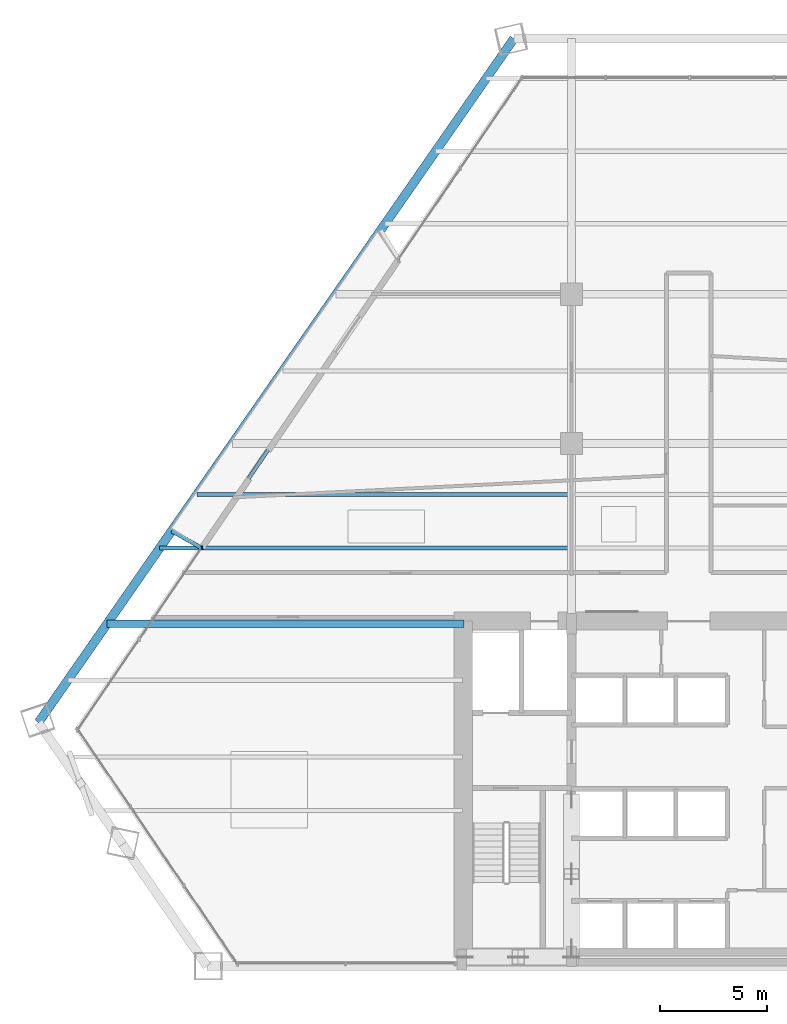
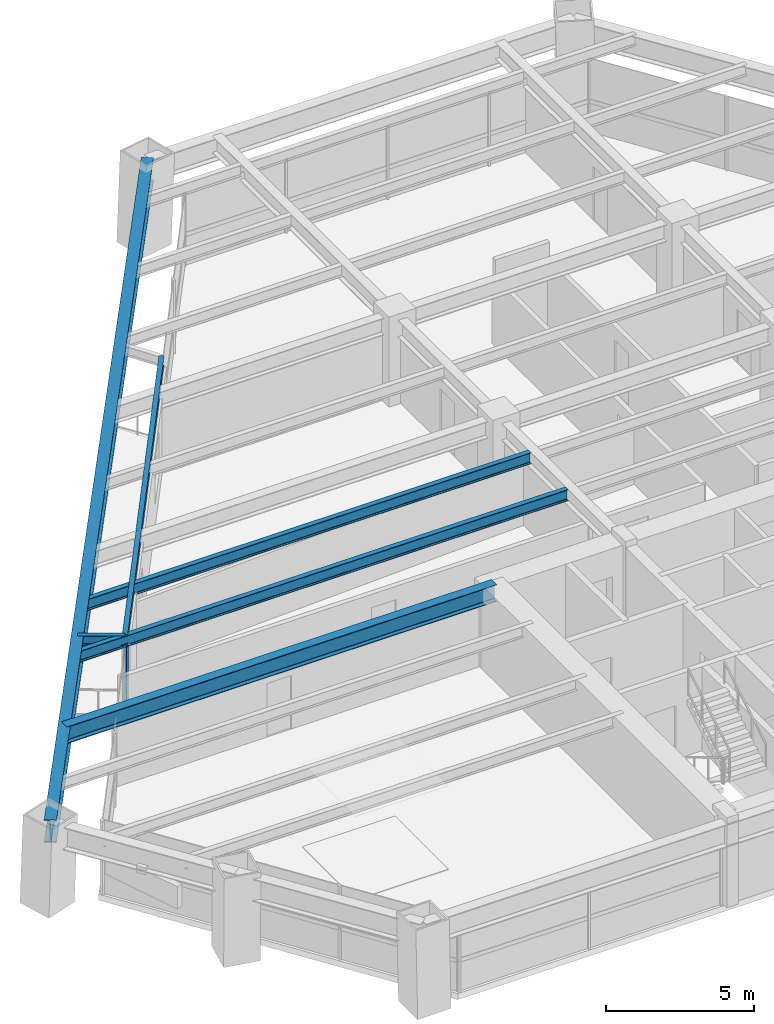
# One storey, part 4 of 14: 6 beams, 1 member, 1 element without a shape of its own.
"""IFC4 building model written with IfcOpenShell, lengths in metres."""

from ifc_helpers import new_model, si_unit, direction, frame, origin, origin_2d, place, context, subcontext, project, spatial, rectangle, i_section, extrude, source, transform, mapped, material, material_profile, profile_set, type_object, type_shapes, element, aggregate, save


model = new_model("IFC4")

# Units and contexts
model_context = context("Model", 3, precision=1e-05, world=origin(), true_north=direction((0.0, 1.0)))
body_context = subcontext(model_context, "Body", "Model", "MODEL_VIEW")
ifc_project = project(units=[si_unit("LENGTHUNIT", "METRE"), si_unit("AREAUNIT", "SQUARE_METRE"), si_unit("VOLUMEUNIT", "CUBIC_METRE"), si_unit("PLANEANGLEUNIT", "RADIAN"), si_unit("MASSUNIT", "GRAM", prefix="KILO")], contexts=[model_context])

# Site, building, storey
site_placement = place(None, origin())
site = spatial("IfcSite", under=ifc_project, at=site_placement, CompositionType="ELEMENT")
building_placement = place(site_placement, origin())
building = spatial("IfcBuilding", under=site, at=building_placement, Name="Varnakhor Terracotta Tower", CompositionType="ELEMENT")
storey_placement = place(building_placement, frame((0.0, 0.0, 31.199951171875)))
storey = spatial("IfcBuildingStorey", under=building, at=storey_placement, Name="L06", CompositionType="ELEMENT", Elevation=31.199951171875)

# Beams
ifc_material_1 = material(Name="Steel S355", Category="steel")
ifc_material_profile_1 = material_profile(ifc_material_1, i_section(OverallWidth=0.41796875, OverallDepth=0.927001953125, WebThickness=0.01904296875, FlangeThickness=0.031982421875, FilletRadius=0.01806640625, at=origin_2d()), Name="W36X231")
ifc_profile_set_1 = profile_set([ifc_material_profile_1], Name="Steel S355")
beam_type_1 = type_object("IfcBeamType", Name="BM-W36X231", PredefinedType="BEAM", material=ifc_profile_set_1)
shared_shape_1 = source(origin(), body_context, "Body", "SweptSolid", [
    extrude(i_section(OverallWidth=0.41796875, OverallDepth=0.927001953125, WebThickness=0.01904296875, FlangeThickness=0.031982421875, FilletRadius=0.01806640625, at=origin_2d()), origin(), (0.0, 0.0, 1.0), 39.04052734375),
])
beam_1_placement = place(storey_placement, frame((-8.201171875, 43.47802734375, 2.986572265625), z_axis=(-0.570802631797, -0.821087300799, 0.0), x_axis=(0.821087300799, -0.570802631797, 0.0)))
element("IfcBeam", 1, at=beam_1_placement, inside=storey, type_object=beam_type_1, Name="L06 Perimeter Spandrel 6", PredefinedType="BEAM", context=body_context, shape_type="MappedRepresentation", body=[
    mapped(shared_shape_1, transform((0.0, 0.0, 0.0), scale=1.0)),
])
ifc_material_profile_2 = material_profile(ifc_material_1, i_section(OverallWidth=0.179931640625, OverallDepth=0.39990234375, WebThickness=0.008544921875, FlangeThickness=0.013427734375, FilletRadius=0.01806640625, at=origin_2d()), Name="IPE400")
ifc_profile_set_2 = profile_set([ifc_material_profile_2], Name="Steel S355")
beam_type_2 = type_object("IfcBeamType", Name="JST-IPE400", PredefinedType="JOIST", material=ifc_profile_set_2)
shared_shape_2 = source(origin(), body_context, "Body", "SweptSolid", [
    extrude(i_section(OverallWidth=0.179931640625, OverallDepth=0.39990234375, WebThickness=0.008544921875, FlangeThickness=0.013427734375, FilletRadius=0.01806640625, at=origin_2d()), origin(), (0.0, 0.0, 1.0), 16.41015625),
])
beam_2_placement = place(storey_placement, frame((-13.610107421875, 33.164306640625, 3.25), z_axis=(-0.563410685264, -0.826176978455, 0.0), x_axis=(0.826176978455, -0.563410685264, 0.0)))
element("IfcBeam", 2, at=beam_2_placement, inside=storey, type_object=beam_type_2, Name="L06 Loggia Edge Beam 2", PredefinedType="JOIST", context=body_context, shape_type="MappedRepresentation", body=[
    mapped(shared_shape_2, transform((0.0, 0.0, 0.0), scale=1.0)),
])
ifc_material_profile_3 = material_profile(ifc_material_1, i_section(OverallWidth=0.35498046875, OverallDepth=0.695068359375, WebThickness=0.014892578125, FlangeThickness=0.02490234375, FilletRadius=0.01806640625, at=origin_2d()), Name="W27X146")
ifc_profile_set_3 = profile_set([ifc_material_profile_3], Name="Steel S355")
beam_type_3 = type_object("IfcBeamType", Name="BM-W27X146", PredefinedType="BEAM", material=ifc_profile_set_3)
shared_shape_3 = source(origin(), body_context, "Body", "SweptSolid", [
    extrude(i_section(OverallWidth=0.35498046875, OverallDepth=0.695068359375, WebThickness=0.014892578125, FlangeThickness=0.02490234375, FilletRadius=0.01806640625, at=origin_2d()), origin(), (0.0, 0.0, 1.0), 16.71875),
])
beam_3_placement = place(storey_placement, frame((-27.268798828125, 16.050048828125, 3.1025390625), z_axis=(1.0, 0.0, 0.0), x_axis=(0.0, 1.0, 0.0)))
element("IfcBeam", 3, at=beam_3_placement, inside=storey, type_object=beam_type_3, Name="L06 Wing Girder W", PredefinedType="BEAM", context=body_context, shape_type="MappedRepresentation", body=[
    mapped(shared_shape_3, transform((0.0, 0.0, 0.0), scale=1.0)),
])
ifc_material_profile_4 = material_profile(ifc_material_1, i_section(OverallWidth=0.19189453125, OverallDepth=0.462890625, WebThickness=0.010498046875, FlangeThickness=0.017578125, FilletRadius=0.01806640625, at=origin_2d()), Name="W18X60")
ifc_profile_set_4 = profile_set([ifc_material_profile_4], Name="Steel S355")
beam_type_4 = type_object("IfcBeamType", Name="JST-W18X60", PredefinedType="JOIST", material=ifc_profile_set_4)
shared_shape_4 = source(origin(), body_context, "Body", "SweptSolid", [
    extrude(i_section(OverallWidth=0.19189453125, OverallDepth=0.462890625, WebThickness=0.010498046875, FlangeThickness=0.017578125, FilletRadius=0.01806640625, at=origin_2d()), origin(), (0.0, 0.0, 1.0), 19.127197265625),
])
beam_4_placement = place(storey_placement, frame((-24.80078125, 19.60009765625, 3.218505859375), z_axis=(1.0, 0.0, 0.0), x_axis=(0.0, 1.0, 0.0)))
element("IfcBeam", 4, at=beam_4_placement, inside=storey, type_object=beam_type_4, Name="L06 Composite Floor Joist 4-1", PredefinedType="JOIST", context=body_context, shape_type="MappedRepresentation", body=[
    mapped(shared_shape_4, transform((0.0, 0.0, 0.0), scale=1.0)),
])
shared_shape_5 = source(origin(), body_context, "Body", "SweptSolid", [
    extrude(i_section(OverallWidth=0.19189453125, OverallDepth=0.462890625, WebThickness=0.010498046875, FlangeThickness=0.017578125, FilletRadius=0.01806640625, at=origin_2d()), origin(), (0.0, 0.0, 1.0), 17.38916015625),
])
beam_5_placement = place(storey_placement, frame((-23.062744140625, 22.10009765625, 3.218505859375), z_axis=(1.0, 0.0, 0.0), x_axis=(0.0, 1.0, 0.0)))
element("IfcBeam", 5, at=beam_5_placement, inside=storey, type_object=beam_type_4, Name="L06 Composite Floor Joist 5-1", PredefinedType="JOIST", context=body_context, shape_type="MappedRepresentation", body=[
    mapped(shared_shape_5, transform((0.0, 0.0, 0.0), scale=1.0)),
])

# Curtain wall, member
ifc_material_2 = material(Name="Anodised Aluminium Curtain Wall System", Category="aluminium")
curtain_wall_type = type_object("IfcCurtainWallType", Name="CW-SYS-LOW-OFFICE", PredefinedType="NOTDEFINED", material=ifc_material_2)
curtain_wall_placement = place(storey_placement, origin())
curtain_wall = element("IfcCurtainWall", 6, at=curtain_wall_placement, inside=storey, type_object=curtain_wall_type, Name="L06 W Facet Curtain Wall 1", PredefinedType="NOTDEFINED")
ifc_material_3 = material(Name="Anodised Aluminium 6063-T6", Category="aluminium")
ifc_material_profile_5 = material_profile(ifc_material_3, rectangle(XDim=0.074951171875, YDim=0.18505859375, at=origin_2d()), Name="ALU MULLION 75x185")
ifc_profile_set_5 = profile_set([ifc_material_profile_5], Name="Anodised Aluminium 6063-T6")
member_type = type_object("IfcMemberType", Name="CWM-02", PredefinedType="MULLION", material=ifc_profile_set_5)
shared_shape_6 = source(origin(), body_context, "Body", "SweptSolid", [
    extrude(rectangle(XDim=0.074951171875, YDim=0.18505859375, at=origin_2d()), origin(), (0.0, 0.0, 1.0), 3.030029296875),
])
type_shapes(member_type, [shared_shape_6])
member_placement = place(storey_placement, frame((-22.81689453125, 19.611328125, 0.0), z_axis=(0.0, 0.0, 1.0), x_axis=(1.0, 0.0, 0.0)))
member = element("IfcMember", 7, at=member_placement, type_object=member_type, Name="L06 W Loggia Jamb Closure Mullion 1", PredefinedType="MULLION", context=body_context, shape_type="MappedRepresentation", body=[
    mapped(shared_shape_6, transform((0.0, 0.0, 0.0), scale=1.0)),
])
aggregate(curtain_wall, [member])

# Beam
shared_shape_7 = source(origin(), body_context, "Body", "SweptSolid", [
    extrude(i_section(OverallWidth=0.179931640625, OverallDepth=0.39990234375, WebThickness=0.008544921875, FlangeThickness=0.013427734375, FilletRadius=0.01806640625, at=origin_2d()), origin(), (0.0, 0.0, 1.0), 1.599853515625),
])
beam_6_placement = place(storey_placement, frame((-22.855712890625, 19.606689453125, 3.25), z_axis=(-0.869115196808, 0.494609719553, 0.0), x_axis=(-0.494609719553, -0.869115196808, 0.0)))
element("IfcBeam", 8, at=beam_6_placement, inside=storey, type_object=beam_type_2, Name="L07 W Loggia Tie Beam 1", PredefinedType="JOIST", context=body_context, shape_type="MappedRepresentation", body=[
    mapped(shared_shape_7, transform((0.0, 0.0, 0.0), scale=1.0)),
])

save(model, "model.ifc")
